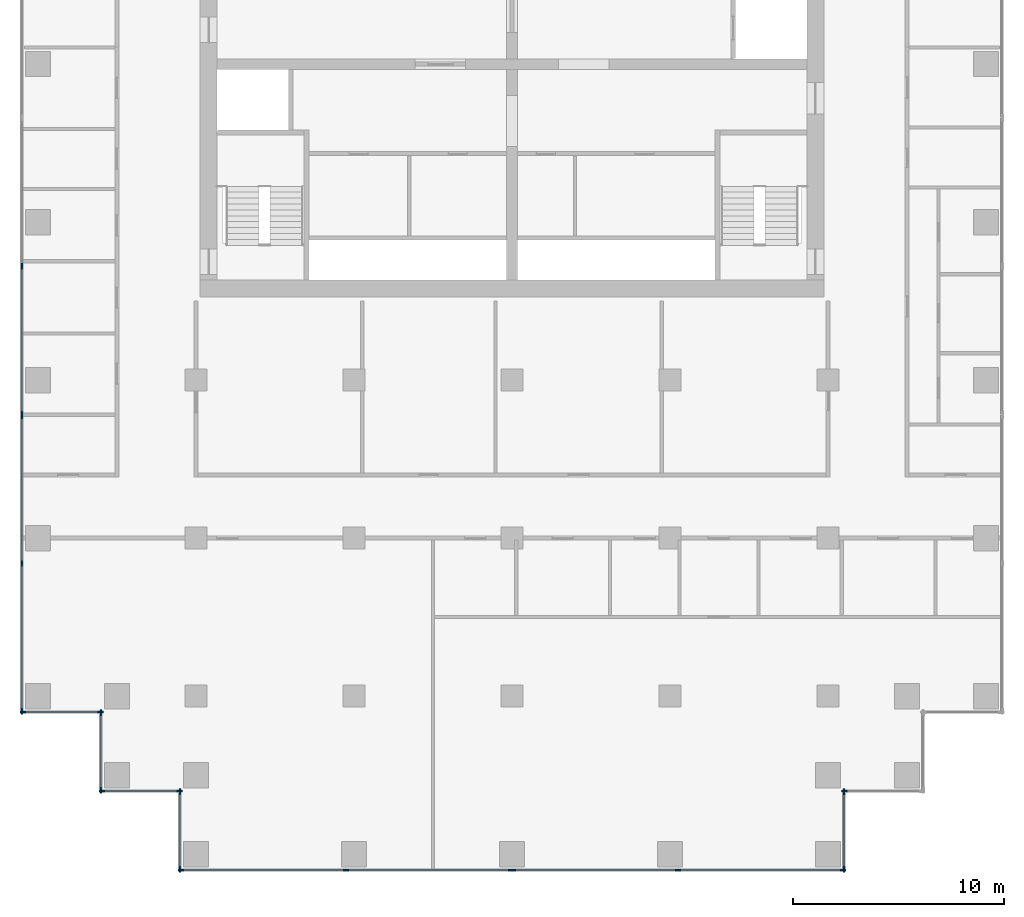
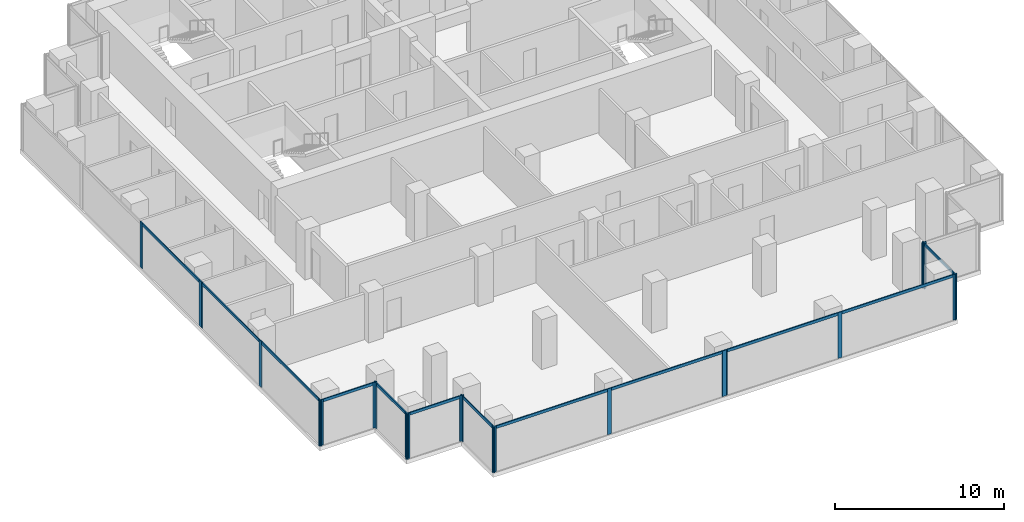
# One storey, part 2 of 10: 34 members, 10 elements without a shape of their own.
"""IFC4 building model written with IfcOpenShell, lengths in metres."""

import ifcopenshell
import ifcopenshell.guid

model = None  # the IFC model being written
_history = None  # IfcOwnerHistory: only IFC2X3 demands one
_inside = {}  # id of a spatial element -> (the spatial element, [elements in it])
_under = {}  # id of a project, library or spatial element -> (it, [spatial elements below it])
_declared = {}  # id of a project -> (the project, [libraries it declares])
_typed = {}  # id of a type object -> (the type object, [elements of that type])
_made_of = {}  # id of a material, layer set ... -> (it, [elements and type objects made of it])


def new_model(schema):
    """Start an empty IFC model of exactly this schema.

    Asked for "IFC4X3", IfcOpenShell would pick the latest addendum, in which some entities
    have other attributes; the version numbers below select the first issue.
    IFC2X3 requires an IfcOwnerHistory on every rooted entity: one is made here for all.
    """
    global model, _history
    if schema == "IFC4X3":
        model = ifcopenshell.file(schema_version=(4, 3, 0, 0))
    else:
        model = ifcopenshell.file(schema=schema)
    _inside.clear()
    _under.clear()
    _declared.clear()
    _typed.clear()
    _made_of.clear()
    _history = None
    if model.schema == "IFC2X3":
        org = make("IfcOrganization", Name="unknown")
        user = make(
            "IfcPersonAndOrganization",
            ThePerson=make("IfcPerson", FamilyName="unknown"),
            TheOrganization=org,
        )
        app = make(
            "IfcApplication",
            ApplicationDeveloper=org,
            Version="unknown",
            ApplicationFullName="unknown",
            ApplicationIdentifier="unknown",
        )
        _history = make(
            "IfcOwnerHistory",
            OwningUser=user,
            OwningApplication=app,
            ChangeAction="ADDED",
            CreationDate=0,
        )
    return model


def make(cls, **values):
    """One entity of the class cls with the attributes given. An attribute that is None is left unset."""
    return model.create_entity(
        cls, **{name: value for name, value in values.items() if value is not None}
    )


def rooted(cls, **values):
    """An entity with a GlobalId (a new one), such as an element, a storey or a relation."""
    return make(cls, GlobalId=ifcopenshell.guid.new(), OwnerHistory=_history, **values)


def si_unit(unit_type, name, prefix=None):
    """IfcSIUnit, for example si_unit("LENGTHUNIT", "METRE", prefix="MILLI")."""
    return make("IfcSIUnit", UnitType=unit_type, Prefix=prefix, Name=name)


def assignment(units):
    """IfcUnitAssignment: the units of a project."""
    return None if units is None else make("IfcUnitAssignment", Units=units)


def point(xyz):
    """IfcCartesianPoint."""
    return None if xyz is None else make("IfcCartesianPoint", Coordinates=xyz)


def direction(xyz):
    """IfcDirection."""
    return None if xyz is None else make("IfcDirection", DirectionRatios=xyz)


def frame(location, z_axis=None, x_axis=None):
    """IfcAxis2Placement3D, a coordinate frame: its origin and axes. An axis left out is left unset."""
    return make(
        "IfcAxis2Placement3D",
        Location=point(location),
        Axis=direction(z_axis),
        RefDirection=direction(x_axis),
    )


def frame_2d(location, x_axis=None):
    """IfcAxis2Placement2D, a coordinate frame in the plane: its origin and x axis."""
    return make(
        "IfcAxis2Placement2D", Location=point(location), RefDirection=direction(x_axis)
    )


def origin():
    """The frame at (0, 0, 0) with its axes left unset."""
    return frame((0.0, 0.0, 0.0))


def origin_2d():
    """The frame at (0, 0) in the plane with its x axis left unset."""
    return frame_2d((0.0, 0.0))


def place(relative_to, where):
    """IfcLocalPlacement: puts the frame where relative to a parent placement (None: the world)."""
    return make(
        "IfcLocalPlacement", PlacementRelTo=relative_to, RelativePlacement=where
    )


def context(
    kind, dimensions, precision=None, world=None, true_north=None, identifier=None
):
    """IfcGeometricRepresentationContext, for example the 3D "Model" context."""
    return make(
        "IfcGeometricRepresentationContext",
        ContextIdentifier=identifier,
        ContextType=kind,
        CoordinateSpaceDimension=dimensions,
        Precision=precision,
        WorldCoordinateSystem=world,
        TrueNorth=true_north,
    )


def subcontext(parent, identifier, kind, view, scale=None):
    """IfcGeometricRepresentationSubContext, for example "Body" below "Model"."""
    return make(
        "IfcGeometricRepresentationSubContext",
        ContextIdentifier=identifier,
        ContextType=kind,
        ParentContext=parent,
        TargetScale=scale,
        TargetView=view,
    )


def project(units=None, contexts=None):
    """IfcProject with its units and contexts."""
    return rooted(
        "IfcProject",
        Name="project",
        RepresentationContexts=contexts,
        UnitsInContext=assignment(units),
    )


def spatial(cls, under=None, at=None, **own):
    """A site, building, storey or space (cls), placed at a placement, below another one or the project."""
    s = rooted(cls, ObjectPlacement=at, **own)
    if under is not None:
        _under.setdefault(under.id(), (under, []))[1].append(s)
    return s


def profile(cls, at=None, kind="AREA", **sizes):
    """A parametric profile (cls). Its sizes go by their IFC names, for example OverallWidth=200.0."""
    return make(cls, ProfileType=kind, Position=at, **sizes)


def rectangle(**sizes):
    """IfcRectangleProfileDef."""
    return profile("IfcRectangleProfileDef", **sizes)


def extrude(swept, where, along, depth):
    """IfcExtrudedAreaSolid: the profile swept, set in the frame where, extruded along a direction by depth."""
    return make(
        "IfcExtrudedAreaSolid",
        SweptArea=swept,
        Position=where,
        ExtrudedDirection=direction(along),
        Depth=depth,
    )


def shape(context_of_items, identifier, shape_type, items):
    """IfcShapeRepresentation: the items that make up one representation, for example the "Body"."""
    return make(
        "IfcShapeRepresentation",
        ContextOfItems=context_of_items,
        RepresentationIdentifier=identifier,
        RepresentationType=shape_type,
        Items=items,
    )


def material(Name=None, Category=None):
    """IfcMaterial."""
    return make("IfcMaterial", Name=Name, Category=Category)


def material_profile(
    of_material, cross_section, Name=None, Category=None, Priority=None
):
    """IfcMaterialProfile: a cross section and its material."""
    return make(
        "IfcMaterialProfile",
        Name=Name,
        Material=of_material,
        Profile=cross_section,
        Priority=Priority,
        Category=Category,
    )


def profile_set(profiles, Name=None, composite=None):
    """IfcMaterialProfileSet."""
    return make(
        "IfcMaterialProfileSet",
        Name=Name,
        MaterialProfiles=profiles,
        CompositeProfile=composite,
    )


def made_of(thing, what):
    """Note that an element or type object is made of a material, layer set ...; save() writes the relation."""
    if what is not None:
        _made_of.setdefault(what.id(), (what, []))[1].append(thing)
    return thing


def type_object(cls, material=None, **own):
    """A type object (cls), such as IfcWallType, which elements share."""
    return made_of(rooted(cls, **own), material)


def element(
    cls,
    number,
    at=None,
    inside=None,
    cuts=None,
    type_object=None,
    material=None,
    context=None,
    identifier="Body",
    shape_type=None,
    held_by="IfcProductDefinitionShape",
    body=None,
    shapes=None,
    **own,
):
    """One element of the class cls, such as IfcWall. Its Tag is "e" and its number.

    at: its placement. inside: the storey or other place that contains it. cuts: it is an
    opening in that element (IfcRelVoidsElement). A single representation is given by context,
    identifier, shape_type and body (its items); several are given by shapes. held_by: the class
    of the entity that holds the representations. save() writes the other relations.
    """
    e = rooted(cls, Tag="e%d" % number, ObjectPlacement=at, **own)
    if body is not None:
        shapes = [shape(context, identifier, shape_type, body)]
    if shapes is not None:
        e.Representation = make(held_by, Representations=shapes)
    if inside is not None:
        _inside.setdefault(inside.id(), (inside, []))[1].append(e)
    if cuts is not None:
        rooted(
            "IfcRelVoidsElement", RelatingBuildingElement=cuts, RelatedOpeningElement=e
        )
    if type_object is not None:
        _typed.setdefault(type_object.id(), (type_object, []))[1].append(e)
    return made_of(e, material)


def aggregate(whole, parts):
    """IfcRelAggregates: a whole, such as a stair, and the parts it consists of."""
    return rooted("IfcRelAggregates", RelatingObject=whole, RelatedObjects=parts)


def save(model, path):
    """Write the relations noted so far, then the file.

    IfcRelAggregates (storeys below a building ...), IfcRelContainedInSpatialStructure (elements
    in a storey), IfcRelDefinesByType, IfcRelAssociatesMaterial and IfcRelDeclares: one each for
    every whole, place, type object, material and project.
    """
    for whole, parts in _under.values():
        aggregate(whole, parts)
    for where, things in _inside.values():
        rooted(
            "IfcRelContainedInSpatialStructure",
            RelatedElements=things,
            RelatingStructure=where,
        )
    for kind, things in _typed.values():
        rooted("IfcRelDefinesByType", RelatedObjects=things, RelatingType=kind)
    for what, things in _made_of.values():
        rooted("IfcRelAssociatesMaterial", RelatedObjects=things, RelatingMaterial=what)
    for by, libraries in _declared.values():
        rooted("IfcRelDeclares", RelatingContext=by, RelatedDefinitions=libraries)
    model.write(path)


model = new_model("IFC4")

# Units and contexts
model_context = context("Model", 3, precision=1e-05, world=origin(), true_north=direction((0.0, 1.0)))
body_context = subcontext(model_context, "Body", "Model", "MODEL_VIEW")
ifc_project = project(units=[si_unit("LENGTHUNIT", "METRE"), si_unit("AREAUNIT", "SQUARE_METRE"), si_unit("VOLUMEUNIT", "CUBIC_METRE"), si_unit("PLANEANGLEUNIT", "RADIAN"), si_unit("MASSUNIT", "GRAM", prefix="KILO")], contexts=[model_context])

# Site, building, storey
site_placement = place(None, origin())
site = spatial("IfcSite", under=ifc_project, at=site_placement, CompositionType="ELEMENT")
building_placement = place(site_placement, origin())
building = spatial("IfcBuilding", under=site, at=building_placement, Name="Pilkhan Gate Tower", CompositionType="ELEMENT")
storey_placement = place(building_placement, frame((0.0, 0.0, 158.5)))
storey = spatial("IfcBuildingStorey", under=building, at=storey_placement, Name="L40", CompositionType="ELEMENT", Elevation=158.5)

# Curtain wall, members
ifc_material_1 = material(Name="Pale anodised aluminium, clear low-iron double glazing", Category="aluminium")
curtain_wall_type = type_object("IfcCurtainWallType", Name="Office unitised curtain wall CW-O1", PredefinedType="USERDEFINED", material=ifc_material_1)
curtain_wall_1_placement = place(storey_placement, origin())
curtain_wall_1 = element("IfcCurtainWall", 1, at=curtain_wall_1_placement, inside=storey, type_object=curtain_wall_type, Name="Office unitised curtain wall CW-O1 L40 W", ObjectType="UNITISED CURTAIN WALL", PredefinedType="USERDEFINED")
ifc_material_2 = material(Name="Pale anodised aluminium", Category="aluminium")
ifc_material_profile_1 = material_profile(ifc_material_2, rectangle(XDim=0.070068359375, YDim=0.27490234375, at=origin_2d()), Name="Mullion 275x70")
ifc_profile_set_1 = profile_set([ifc_material_profile_1], Name="Pale anodised aluminium")
member_type_1 = type_object("IfcMemberType", Name="Mullion CW-O1 275x70", PredefinedType="MULLION", material=ifc_profile_set_1)
member_1_placement = place(storey_placement, frame((51.75, 51.784912109375, 0.0), z_axis=(0.0, 0.0, 1.0), x_axis=(-1.0, 0.0, 0.0)))
member_1 = element("IfcMember", 2, at=member_1_placement, type_object=member_type_1, Name="CW-O1 mullion 1", PredefinedType="MULLION", context=body_context, shape_type="SweptSolid", body=[
    extrude(rectangle(XDim=0.070068359375, YDim=0.27490234375, at=origin_2d()), origin(), (0.0, 0.0, 1.0), 3.300048828125),
])
member_2_placement = place(storey_placement, frame((51.75, 58.800048828125, 0.0), z_axis=(0.0, 0.0, 1.0), x_axis=(-1.0, 0.0, 0.0)))
member_2 = element("IfcMember", 3, at=member_2_placement, type_object=member_type_1, Name="CW-O1 mullion 2", PredefinedType="MULLION", context=body_context, shape_type="SweptSolid", body=[
    extrude(rectangle(XDim=0.070068359375, YDim=0.27490234375, at=origin_2d()), origin(), (0.0, 0.0, 1.0), 3.300048828125),
])
member_3_placement = place(storey_placement, frame((51.75, 65.81494140625, 0.0), z_axis=(0.0, 0.0, 1.0), x_axis=(-1.0, 0.0, 0.0)))
member_3 = element("IfcMember", 4, at=member_3_placement, type_object=member_type_1, Name="CW-O1 mullion 3", PredefinedType="MULLION", context=body_context, shape_type="SweptSolid", body=[
    extrude(rectangle(XDim=0.070068359375, YDim=0.27490234375, at=origin_2d()), origin(), (0.0, 0.0, 1.0), 3.300048828125),
])

curtain_wall_2_placement = place(storey_placement, origin())
curtain_wall_2 = element("IfcCurtainWall", 5, at=curtain_wall_2_placement, inside=storey, type_object=curtain_wall_type, Name="Office unitised curtain wall CW-O1 L40 W", ObjectType="UNITISED CURTAIN WALL", PredefinedType="USERDEFINED")
member_4_placement = place(storey_placement, frame((51.75, 65.885009765625, 0.0), z_axis=(0.0, 0.0, 1.0), x_axis=(-1.0, 0.0, 0.0)))
member_4 = element("IfcMember", 6, at=member_4_placement, type_object=member_type_1, Name="CW-O1 mullion 1", PredefinedType="MULLION", context=body_context, shape_type="SweptSolid", body=[
    extrude(rectangle(XDim=0.070068359375, YDim=0.27490234375, at=origin_2d()), origin(), (0.0, 0.0, 1.0), 3.300048828125),
])
member_5_placement = place(storey_placement, frame((51.75, 72.89990234375, 0.0), z_axis=(0.0, 0.0, 1.0), x_axis=(-1.0, 0.0, 0.0)))
member_5 = element("IfcMember", 7, at=member_5_placement, type_object=member_type_1, Name="CW-O1 mullion 2", PredefinedType="MULLION", context=body_context, shape_type="SweptSolid", body=[
    extrude(rectangle(XDim=0.070068359375, YDim=0.27490234375, at=origin_2d()), origin(), (0.0, 0.0, 1.0), 3.300048828125),
])

curtain_wall_3_placement = place(storey_placement, origin())
curtain_wall_3 = element("IfcCurtainWall", 8, at=curtain_wall_3_placement, inside=storey, type_object=curtain_wall_type, Name="Office unitised curtain wall CW-O1 L40 S", ObjectType="UNITISED CURTAIN WALL", PredefinedType="USERDEFINED")
member_6_placement = place(storey_placement, frame((51.784912109375, 51.75, 0.0), z_axis=(0.0, 0.0, 1.0), x_axis=(0.0, 1.0, 0.0)))
member_6 = element("IfcMember", 9, at=member_6_placement, type_object=member_type_1, Name="CW-O1 mullion 1", PredefinedType="MULLION", context=body_context, shape_type="SweptSolid", body=[
    extrude(rectangle(XDim=0.070068359375, YDim=0.27490234375, at=origin_2d()), origin(), (0.0, 0.0, 1.0), 3.300048828125),
])
member_7_placement = place(storey_placement, frame((55.465087890625, 51.75, 0.0), z_axis=(0.0, 0.0, 1.0), x_axis=(0.0, 1.0, 0.0)))
member_7 = element("IfcMember", 10, at=member_7_placement, type_object=member_type_1, Name="CW-O1 mullion 2", PredefinedType="MULLION", context=body_context, shape_type="SweptSolid", body=[
    extrude(rectangle(XDim=0.070068359375, YDim=0.27490234375, at=origin_2d()), origin(), (0.0, 0.0, 1.0), 3.300048828125),
])

curtain_wall_4_placement = place(storey_placement, origin())
curtain_wall_4 = element("IfcCurtainWall", 11, at=curtain_wall_4_placement, inside=storey, type_object=curtain_wall_type, Name="Office unitised curtain wall CW-O1 L40 W", ObjectType="UNITISED CURTAIN WALL", PredefinedType="USERDEFINED")
member_8_placement = place(storey_placement, frame((55.5, 48.034912109375, 0.0), z_axis=(0.0, 0.0, 1.0), x_axis=(-1.0, 0.0, 0.0)))
member_8 = element("IfcMember", 12, at=member_8_placement, type_object=member_type_1, Name="CW-O1 mullion 1", PredefinedType="MULLION", context=body_context, shape_type="SweptSolid", body=[
    extrude(rectangle(XDim=0.070068359375, YDim=0.27490234375, at=origin_2d()), origin(), (0.0, 0.0, 1.0), 3.300048828125),
])
member_9_placement = place(storey_placement, frame((55.5, 51.715087890625, 0.0), z_axis=(0.0, 0.0, 1.0), x_axis=(-1.0, 0.0, 0.0)))
member_9 = element("IfcMember", 13, at=member_9_placement, type_object=member_type_1, Name="CW-O1 mullion 2", PredefinedType="MULLION", context=body_context, shape_type="SweptSolid", body=[
    extrude(rectangle(XDim=0.070068359375, YDim=0.27490234375, at=origin_2d()), origin(), (0.0, 0.0, 1.0), 3.300048828125),
])

curtain_wall_5_placement = place(storey_placement, origin())
curtain_wall_5 = element("IfcCurtainWall", 14, at=curtain_wall_5_placement, inside=storey, type_object=curtain_wall_type, Name="Office unitised curtain wall CW-O1 L40 S", ObjectType="UNITISED CURTAIN WALL", PredefinedType="USERDEFINED")
member_10_placement = place(storey_placement, frame((55.534912109375, 48.0, 0.0), z_axis=(0.0, 0.0, 1.0), x_axis=(0.0, 1.0, 0.0)))
member_10 = element("IfcMember", 15, at=member_10_placement, type_object=member_type_1, Name="CW-O1 mullion 1", PredefinedType="MULLION", context=body_context, shape_type="SweptSolid", body=[
    extrude(rectangle(XDim=0.070068359375, YDim=0.27490234375, at=origin_2d()), origin(), (0.0, 0.0, 1.0), 3.300048828125),
])
member_11_placement = place(storey_placement, frame((59.215087890625, 48.0, 0.0), z_axis=(0.0, 0.0, 1.0), x_axis=(0.0, 1.0, 0.0)))
member_11 = element("IfcMember", 16, at=member_11_placement, type_object=member_type_1, Name="CW-O1 mullion 2", PredefinedType="MULLION", context=body_context, shape_type="SweptSolid", body=[
    extrude(rectangle(XDim=0.070068359375, YDim=0.27490234375, at=origin_2d()), origin(), (0.0, 0.0, 1.0), 3.300048828125),
])

curtain_wall_6_placement = place(storey_placement, origin())
curtain_wall_6 = element("IfcCurtainWall", 17, at=curtain_wall_6_placement, inside=storey, type_object=curtain_wall_type, Name="Office unitised curtain wall CW-O1 L40 W", ObjectType="UNITISED CURTAIN WALL", PredefinedType="USERDEFINED")
member_12_placement = place(storey_placement, frame((59.25, 44.284912109375, 0.0), z_axis=(0.0, 0.0, 1.0), x_axis=(-1.0, 0.0, 0.0)))
member_12 = element("IfcMember", 18, at=member_12_placement, type_object=member_type_1, Name="CW-O1 mullion 1", PredefinedType="MULLION", context=body_context, shape_type="SweptSolid", body=[
    extrude(rectangle(XDim=0.070068359375, YDim=0.27490234375, at=origin_2d()), origin(), (0.0, 0.0, 1.0), 3.300048828125),
])
member_13_placement = place(storey_placement, frame((59.25, 47.965087890625, 0.0), z_axis=(0.0, 0.0, 1.0), x_axis=(-1.0, 0.0, 0.0)))
member_13 = element("IfcMember", 19, at=member_13_placement, type_object=member_type_1, Name="CW-O1 mullion 2", PredefinedType="MULLION", context=body_context, shape_type="SweptSolid", body=[
    extrude(rectangle(XDim=0.070068359375, YDim=0.27490234375, at=origin_2d()), origin(), (0.0, 0.0, 1.0), 3.300048828125),
])

curtain_wall_7_placement = place(storey_placement, origin())
curtain_wall_7 = element("IfcCurtainWall", 20, at=curtain_wall_7_placement, inside=storey, type_object=curtain_wall_type, Name="Office unitised curtain wall CW-O1 L40 S", ObjectType="UNITISED CURTAIN WALL", PredefinedType="USERDEFINED")
member_14_placement = place(storey_placement, frame((59.284912109375, 44.25, 0.0), z_axis=(0.0, 0.0, 1.0), x_axis=(0.0, 1.0, 0.0)))
member_14 = element("IfcMember", 21, at=member_14_placement, type_object=member_type_1, Name="CW-O1 mullion 1", PredefinedType="MULLION", context=body_context, shape_type="SweptSolid", body=[
    extrude(rectangle(XDim=0.070068359375, YDim=0.27490234375, at=origin_2d()), origin(), (0.0, 0.0, 1.0), 3.300048828125),
])
member_15_placement = place(storey_placement, frame((67.125, 44.25, 0.0), z_axis=(0.0, 0.0, 1.0), x_axis=(0.0, 1.0, 0.0)))
member_15 = element("IfcMember", 22, at=member_15_placement, type_object=member_type_1, Name="CW-O1 mullion 2", PredefinedType="MULLION", context=body_context, shape_type="SweptSolid", body=[
    extrude(rectangle(XDim=0.070068359375, YDim=0.27490234375, at=origin_2d()), origin(), (0.0, 0.0, 1.0), 3.300048828125),
])
member_16_placement = place(storey_placement, frame((74.965087890625, 44.25, 0.0), z_axis=(0.0, 0.0, 1.0), x_axis=(0.0, 1.0, 0.0)))
member_16 = element("IfcMember", 23, at=member_16_placement, type_object=member_type_1, Name="CW-O1 mullion 3", PredefinedType="MULLION", context=body_context, shape_type="SweptSolid", body=[
    extrude(rectangle(XDim=0.070068359375, YDim=0.27490234375, at=origin_2d()), origin(), (0.0, 0.0, 1.0), 3.300048828125),
])

curtain_wall_8_placement = place(storey_placement, origin())
curtain_wall_8 = element("IfcCurtainWall", 24, at=curtain_wall_8_placement, inside=storey, type_object=curtain_wall_type, Name="Office unitised curtain wall CW-O1 L40 S", ObjectType="UNITISED CURTAIN WALL", PredefinedType="USERDEFINED")
member_17_placement = place(storey_placement, frame((75.034912109375, 44.25, 0.0), z_axis=(0.0, 0.0, 1.0), x_axis=(0.0, 1.0, 0.0)))
member_17 = element("IfcMember", 25, at=member_17_placement, type_object=member_type_1, Name="CW-O1 mullion 1", PredefinedType="MULLION", context=body_context, shape_type="SweptSolid", body=[
    extrude(rectangle(XDim=0.070068359375, YDim=0.27490234375, at=origin_2d()), origin(), (0.0, 0.0, 1.0), 3.300048828125),
])
member_18_placement = place(storey_placement, frame((82.875, 44.25, 0.0), z_axis=(0.0, 0.0, 1.0), x_axis=(0.0, 1.0, 0.0)))
member_18 = element("IfcMember", 26, at=member_18_placement, type_object=member_type_1, Name="CW-O1 mullion 2", PredefinedType="MULLION", context=body_context, shape_type="SweptSolid", body=[
    extrude(rectangle(XDim=0.070068359375, YDim=0.27490234375, at=origin_2d()), origin(), (0.0, 0.0, 1.0), 3.300048828125),
])
member_19_placement = place(storey_placement, frame((90.715087890625, 44.25, 0.0), z_axis=(0.0, 0.0, 1.0), x_axis=(0.0, 1.0, 0.0)))
member_19 = element("IfcMember", 27, at=member_19_placement, type_object=member_type_1, Name="CW-O1 mullion 3", PredefinedType="MULLION", context=body_context, shape_type="SweptSolid", body=[
    extrude(rectangle(XDim=0.070068359375, YDim=0.27490234375, at=origin_2d()), origin(), (0.0, 0.0, 1.0), 3.300048828125),
])

curtain_wall_9_placement = place(storey_placement, origin())
curtain_wall_9 = element("IfcCurtainWall", 28, at=curtain_wall_9_placement, inside=storey, type_object=curtain_wall_type, Name="Office unitised curtain wall CW-O1 L40 E", ObjectType="UNITISED CURTAIN WALL", PredefinedType="USERDEFINED")
member_20_placement = place(storey_placement, frame((90.75, 44.284912109375, 0.0), z_axis=(0.0, 0.0, 1.0), x_axis=(-1.0, 0.0, 0.0)))
member_20 = element("IfcMember", 29, at=member_20_placement, type_object=member_type_1, Name="CW-O1 mullion 1", PredefinedType="MULLION", context=body_context, shape_type="SweptSolid", body=[
    extrude(rectangle(XDim=0.070068359375, YDim=0.27490234375, at=origin_2d()), origin(), (0.0, 0.0, 1.0), 3.300048828125),
])
member_21_placement = place(storey_placement, frame((90.75, 47.965087890625, 0.0), z_axis=(0.0, 0.0, 1.0), x_axis=(-1.0, 0.0, 0.0)))
member_21 = element("IfcMember", 30, at=member_21_placement, type_object=member_type_1, Name="CW-O1 mullion 2", PredefinedType="MULLION", context=body_context, shape_type="SweptSolid", body=[
    extrude(rectangle(XDim=0.070068359375, YDim=0.27490234375, at=origin_2d()), origin(), (0.0, 0.0, 1.0), 3.300048828125),
])

# Curtain wall, member
curtain_wall_10_placement = place(storey_placement, origin())
curtain_wall_10 = element("IfcCurtainWall", 31, at=curtain_wall_10_placement, inside=storey, type_object=curtain_wall_type, Name="Office unitised curtain wall CW-O1 L40 S", ObjectType="UNITISED CURTAIN WALL", PredefinedType="USERDEFINED")
member_22_placement = place(storey_placement, frame((90.784912109375, 48.0, 0.0), z_axis=(0.0, 0.0, 1.0), x_axis=(0.0, 1.0, 0.0)))
member_22 = element("IfcMember", 32, at=member_22_placement, type_object=member_type_1, Name="CW-O1 mullion 1", PredefinedType="MULLION", context=body_context, shape_type="SweptSolid", body=[
    extrude(rectangle(XDim=0.070068359375, YDim=0.27490234375, at=origin_2d()), origin(), (0.0, 0.0, 1.0), 3.300048828125),
])
aggregate(curtain_wall_10, [member_22])

# Member
ifc_material_profile_2 = material_profile(ifc_material_2, rectangle(XDim=0.070068359375, YDim=0.199951171875, at=origin_2d()), Name="Transom 200x70")
ifc_profile_set_2 = profile_set([ifc_material_profile_2], Name="Pale anodised aluminium")
member_type_2 = type_object("IfcMemberType", Name="Transom CW-O1 200x70", PredefinedType="USERDEFINED", material=ifc_profile_set_2)
member_23_placement = place(storey_placement, frame((51.75, 51.820068359375, 3.199951171875), z_axis=(0.0, 1.0, 0.0), x_axis=(-1.0, 0.0, 0.0)))
member_23 = element("IfcMember", 33, at=member_23_placement, type_object=member_type_2, Name="CW-O1 transom 1", ObjectType="TRANSOM", PredefinedType="USERDEFINED", context=body_context, shape_type="SweptSolid", body=[
    extrude(rectangle(XDim=0.070068359375, YDim=0.199951171875, at=origin_2d()), origin(), (0.0, 0.0, 1.0), 6.94482421875),
])

member_24_placement = place(storey_placement, frame((51.75, 58.8349609375, 3.199951171875), z_axis=(0.0, 1.0, 0.0), x_axis=(-1.0, 0.0, 0.0)))
member_24 = element("IfcMember", 34, at=member_24_placement, type_object=member_type_2, Name="CW-O1 transom 2", ObjectType="TRANSOM", PredefinedType="USERDEFINED", context=body_context, shape_type="SweptSolid", body=[
    extrude(rectangle(XDim=0.070068359375, YDim=0.199951171875, at=origin_2d()), origin(), (0.0, 0.0, 1.0), 6.945068359375),
])

aggregate(curtain_wall_1, [member_1, member_2, member_3, member_23, member_24])

member_25_placement = place(storey_placement, frame((51.75, 65.919921875, 3.199951171875), z_axis=(0.0, 1.0, 0.0), x_axis=(-1.0, 0.0, 0.0)))
member_25 = element("IfcMember", 35, at=member_25_placement, type_object=member_type_2, Name="CW-O1 transom 1", ObjectType="TRANSOM", PredefinedType="USERDEFINED", context=body_context, shape_type="SweptSolid", body=[
    extrude(rectangle(XDim=0.070068359375, YDim=0.199951171875, at=origin_2d()), origin(), (0.0, 0.0, 1.0), 6.945068359375),
])

aggregate(curtain_wall_2, [member_4, member_5, member_25])

member_26_placement = place(storey_placement, frame((51.820068359375, 51.75, 3.199951171875), z_axis=(1.0, 0.0, 0.0), x_axis=(0.0, 1.0, 0.0)))
member_26 = element("IfcMember", 36, at=member_26_placement, type_object=member_type_2, Name="CW-O1 transom 1", ObjectType="TRANSOM", PredefinedType="USERDEFINED", context=body_context, shape_type="SweptSolid", body=[
    extrude(rectangle(XDim=0.070068359375, YDim=0.199951171875, at=origin_2d()), origin(), (0.0, 0.0, 1.0), 3.60986328125),
])

aggregate(curtain_wall_3, [member_6, member_7, member_26])

member_27_placement = place(storey_placement, frame((55.5, 48.070068359375, 3.199951171875), z_axis=(0.0, 1.0, 0.0), x_axis=(-1.0, 0.0, 0.0)))
member_27 = element("IfcMember", 37, at=member_27_placement, type_object=member_type_2, Name="CW-O1 transom 1", ObjectType="TRANSOM", PredefinedType="USERDEFINED", context=body_context, shape_type="SweptSolid", body=[
    extrude(rectangle(XDim=0.070068359375, YDim=0.199951171875, at=origin_2d()), origin(), (0.0, 0.0, 1.0), 3.60986328125),
])

aggregate(curtain_wall_4, [member_8, member_9, member_27])

member_28_placement = place(storey_placement, frame((55.570068359375, 48.0, 3.199951171875), z_axis=(1.0, 0.0, 0.0), x_axis=(0.0, 1.0, 0.0)))
member_28 = element("IfcMember", 38, at=member_28_placement, type_object=member_type_2, Name="CW-O1 transom 1", ObjectType="TRANSOM", PredefinedType="USERDEFINED", context=body_context, shape_type="SweptSolid", body=[
    extrude(rectangle(XDim=0.070068359375, YDim=0.199951171875, at=origin_2d()), origin(), (0.0, 0.0, 1.0), 3.60986328125),
])

aggregate(curtain_wall_5, [member_10, member_11, member_28])

member_29_placement = place(storey_placement, frame((59.25, 44.320068359375, 3.199951171875), z_axis=(0.0, 1.0, 0.0), x_axis=(-1.0, 0.0, 0.0)))
member_29 = element("IfcMember", 39, at=member_29_placement, type_object=member_type_2, Name="CW-O1 transom 1", ObjectType="TRANSOM", PredefinedType="USERDEFINED", context=body_context, shape_type="SweptSolid", body=[
    extrude(rectangle(XDim=0.070068359375, YDim=0.199951171875, at=origin_2d()), origin(), (0.0, 0.0, 1.0), 3.60986328125),
])

aggregate(curtain_wall_6, [member_12, member_13, member_29])

member_30_placement = place(storey_placement, frame((59.320068359375, 44.25, 3.199951171875), z_axis=(1.0, 0.0, 0.0), x_axis=(0.0, 1.0, 0.0)))
member_30 = element("IfcMember", 40, at=member_30_placement, type_object=member_type_2, Name="CW-O1 transom 1", ObjectType="TRANSOM", PredefinedType="USERDEFINED", context=body_context, shape_type="SweptSolid", body=[
    extrude(rectangle(XDim=0.070068359375, YDim=0.199951171875, at=origin_2d()), origin(), (0.0, 0.0, 1.0), 7.77001953125),
])

member_31_placement = place(storey_placement, frame((67.159912109375, 44.25, 3.199951171875), z_axis=(1.0, 0.0, 0.0), x_axis=(0.0, 1.0, 0.0)))
member_31 = element("IfcMember", 41, at=member_31_placement, type_object=member_type_2, Name="CW-O1 transom 2", ObjectType="TRANSOM", PredefinedType="USERDEFINED", context=body_context, shape_type="SweptSolid", body=[
    extrude(rectangle(XDim=0.070068359375, YDim=0.199951171875, at=origin_2d()), origin(), (0.0, 0.0, 1.0), 7.77001953125),
])

aggregate(curtain_wall_7, [member_14, member_15, member_16, member_30, member_31])

member_32_placement = place(storey_placement, frame((75.070068359375, 44.25, 3.199951171875), z_axis=(1.0, 0.0, 0.0), x_axis=(0.0, 1.0, 0.0)))
member_32 = element("IfcMember", 42, at=member_32_placement, type_object=member_type_2, Name="CW-O1 transom 1", ObjectType="TRANSOM", PredefinedType="USERDEFINED", context=body_context, shape_type="SweptSolid", body=[
    extrude(rectangle(XDim=0.070068359375, YDim=0.199951171875, at=origin_2d()), origin(), (0.0, 0.0, 1.0), 7.77001953125),
])

member_33_placement = place(storey_placement, frame((82.909912109375, 44.25, 3.199951171875), z_axis=(1.0, 0.0, 0.0), x_axis=(0.0, 1.0, 0.0)))
member_33 = element("IfcMember", 43, at=member_33_placement, type_object=member_type_2, Name="CW-O1 transom 2", ObjectType="TRANSOM", PredefinedType="USERDEFINED", context=body_context, shape_type="SweptSolid", body=[
    extrude(rectangle(XDim=0.070068359375, YDim=0.199951171875, at=origin_2d()), origin(), (0.0, 0.0, 1.0), 7.77001953125),
])

aggregate(curtain_wall_8, [member_17, member_18, member_19, member_32, member_33])

member_34_placement = place(storey_placement, frame((90.75, 44.320068359375, 3.199951171875), z_axis=(0.0, 1.0, 0.0), x_axis=(-1.0, 0.0, 0.0)))
member_34 = element("IfcMember", 44, at=member_34_placement, type_object=member_type_2, Name="CW-O1 transom 1", ObjectType="TRANSOM", PredefinedType="USERDEFINED", context=body_context, shape_type="SweptSolid", body=[
    extrude(rectangle(XDim=0.070068359375, YDim=0.199951171875, at=origin_2d()), origin(), (0.0, 0.0, 1.0), 3.60986328125),
])

aggregate(curtain_wall_9, [member_20, member_21, member_34])

save(model, "model.ifc")
